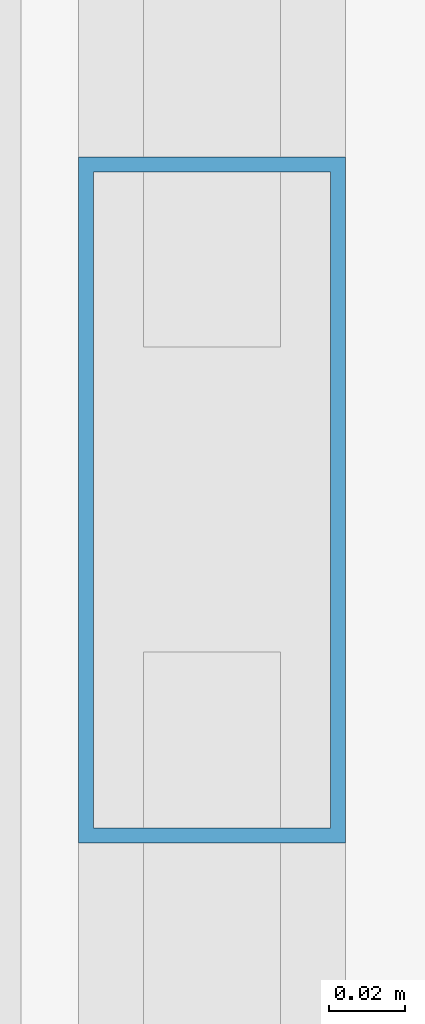
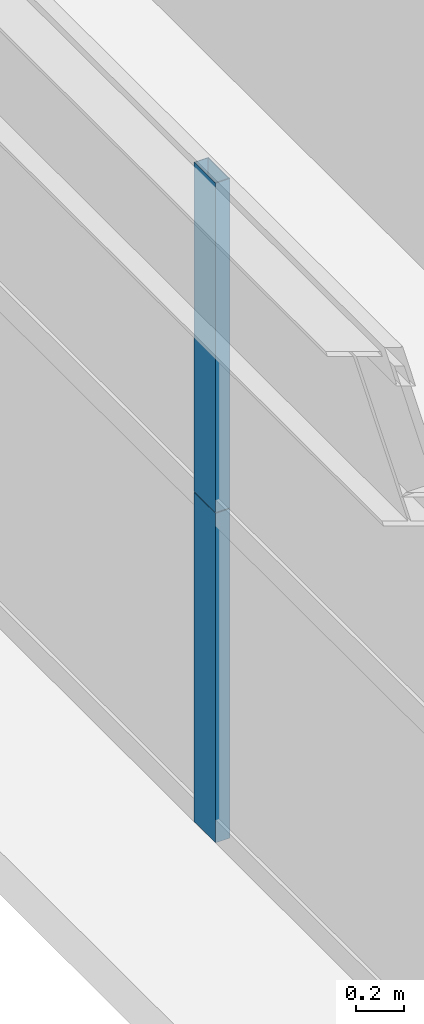
# One storey, part 22 of 42: 2 members, 1 element without a shape of its own.
"""IFC4 building model written with IfcOpenShell, lengths in metres."""

from ifc_helpers import new_model, si_unit, direction, frame, origin, origin_2d, place, context, subcontext, project, spatial, hollow_rectangle, extrude, source, transform, mapped, material, layer, layer_set, material_profile, profile_set, type_object, element, aggregate, save


model = new_model("IFC4")

# Units and contexts
model_context = context("Model", 3, precision=1e-05, world=origin(), true_north=direction((0.0, 1.0)))
body_context = subcontext(model_context, "Body", "Model", "MODEL_VIEW")
ifc_project = project(units=[si_unit("LENGTHUNIT", "METRE"), si_unit("AREAUNIT", "SQUARE_METRE"), si_unit("VOLUMEUNIT", "CUBIC_METRE"), si_unit("PLANEANGLEUNIT", "RADIAN"), si_unit("MASSUNIT", "GRAM", prefix="KILO"), si_unit("THERMODYNAMICTEMPERATUREUNIT", "KELVIN"), si_unit("POWERUNIT", "WATT")], contexts=[model_context])

# Site, building, storey
site_placement = place(None, origin())
site = spatial("IfcSite", under=ifc_project, at=site_placement, CompositionType="ELEMENT")
building_placement = place(site_placement, origin())
building = spatial("IfcBuilding", under=site, at=building_placement, Name="Yuzanri Waterfront Tower", CompositionType="ELEMENT")
storey_placement = place(building_placement, frame((0.0, 0.0, 145.199951171875)))
storey = spatial("IfcBuildingStorey", under=building, at=storey_placement, Name="L38", CompositionType="ELEMENT", Elevation=145.199951171875)

# Curtain wall, members
ifc_material_1 = material(Name="Anodized Architectural Bronze", Category="metal")
ifc_layer = layer(ifc_material_1, 0.159912109375)
ifc_layer_set = layer_set([ifc_layer], Name="Anodized Architectural Bronze")
curtain_wall_type = type_object("IfcCurtainWallType", Name="Anodized Bronze Hotel Upper-Tier Solar-Control Unitized Curtain Wall 7800", PredefinedType="NOTDEFINED", material=ifc_layer_set)
curtain_wall_placement = place(storey_placement, origin())
curtain_wall = element("IfcCurtainWall", 1, at=curtain_wall_placement, inside=storey, type_object=curtain_wall_type, Name="L38 Curtain Wall CW-L38-WR", PredefinedType="NOTDEFINED")
ifc_material_2 = material(Name="Anodized Architectural Bronze", Category="metal")
ifc_material_profile = material_profile(ifc_material_2, hollow_rectangle(XDim=0.070068359375, YDim=0.179931640625, WallThickness=0.00390625, at=origin_2d()), Name="CWM 70x180")
ifc_profile_set = profile_set([ifc_material_profile], Name="Anodized Architectural Bronze")
member_type = type_object("IfcMemberType", Name="Anodized Bronze Standard Curtain-Wall Mullion 70x180", PredefinedType="MULLION", material=ifc_profile_set)
shared_shape = source(origin(), body_context, "Body", "SweptSolid", [
    extrude(hollow_rectangle(XDim=0.070068359375, YDim=0.179931640625, WallThickness=0.00390625, at=origin_2d()), origin(), (0.0, 0.0, 1.0), 1.68798828125),
])
member_1_placement = place(storey_placement, frame((13.550048828125, 34.14990234375, 0.0), z_axis=(0.0, 0.0, 1.0), x_axis=(1.0, 0.0, 0.0)))
member_1 = element("IfcMember", 2, at=member_1_placement, type_object=member_type, Name="CW-L38-WR Lower Mullion 01", PredefinedType="MULLION", context=body_context, shape_type="MappedRepresentation", body=[
    mapped(shared_shape, transform((0.0, 0.0, 0.0), scale=1.0)),
])
member_2_placement = place(storey_placement, frame((13.550048828125, 34.14990234375, 1.692138671875), z_axis=(0.0, 0.0, 1.0), x_axis=(1.0, 0.0, 0.0)))
member_2 = element("IfcMember", 3, at=member_2_placement, type_object=member_type, Name="CW-L38-WR Upper Mullion 01", PredefinedType="MULLION", context=body_context, shape_type="MappedRepresentation", body=[
    mapped(shared_shape, transform((0.0, 0.0, 0.0), scale=1.0)),
])
aggregate(curtain_wall, [member_1, member_2])

save(model, "model.ifc")
